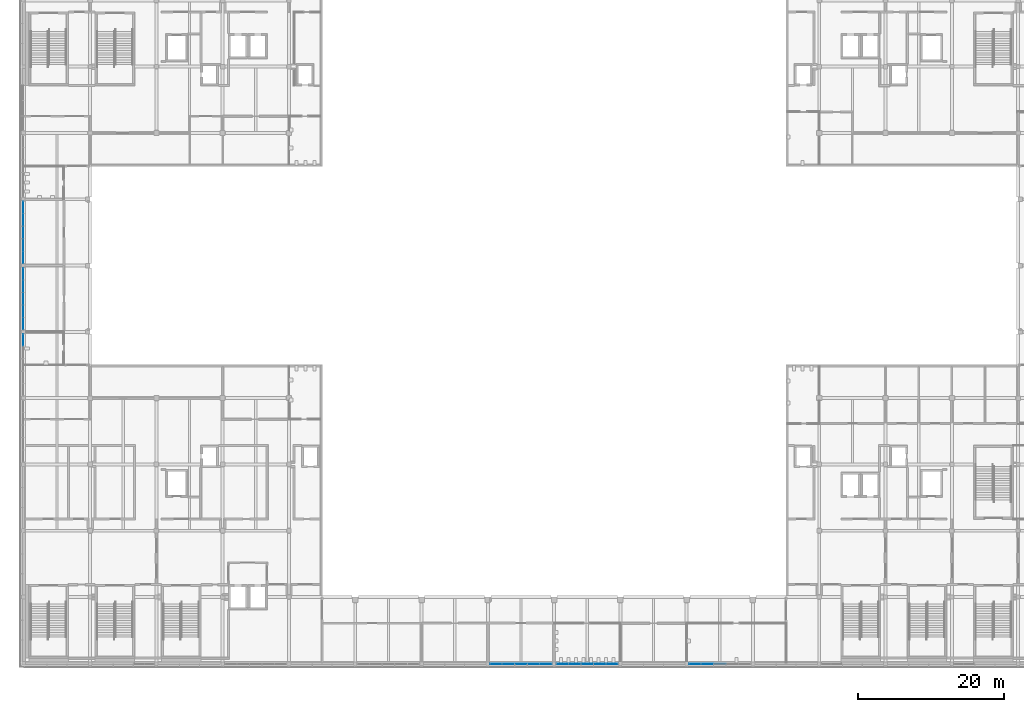
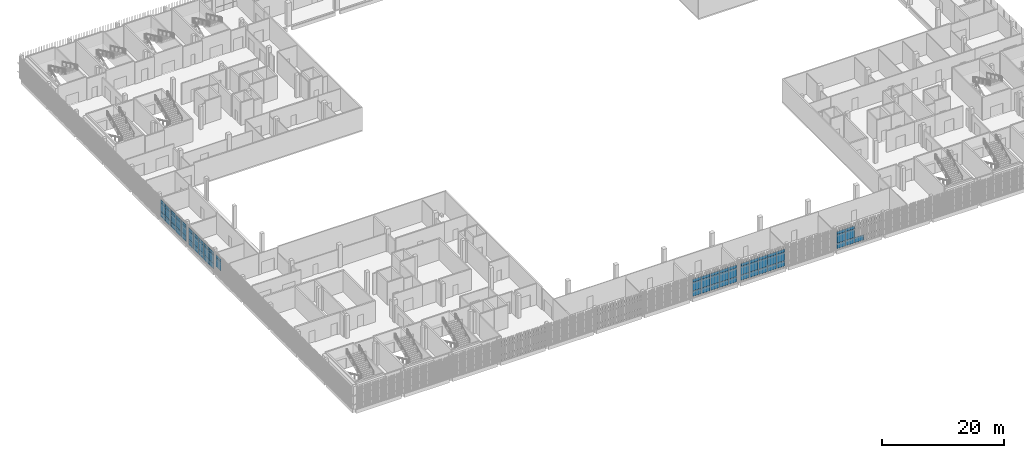
# One storey, part 58 of 124: 69 plates, 6 elements without a shape of their own.
"""IFC4 building model written with IfcOpenShell, lengths in metres."""

from ifc_helpers import new_model, si_unit, direction, frame, origin, origin_2d, place, context, subcontext, project, spatial, rectangle, extrude, material, layer, layer_set, type_object, element, aggregate, save


model = new_model("IFC4")

# Units and contexts
model_context = context("Model", 3, precision=1e-05, world=origin(), true_north=direction((0.0, 1.0)))
body_context = subcontext(model_context, "Body", "Model", "MODEL_VIEW")
ifc_project = project(units=[si_unit("LENGTHUNIT", "METRE"), si_unit("AREAUNIT", "SQUARE_METRE"), si_unit("VOLUMEUNIT", "CUBIC_METRE"), si_unit("PLANEANGLEUNIT", "RADIAN"), si_unit("MASSUNIT", "GRAM", prefix="KILO")], contexts=[model_context])

# Site, building, storey
site_placement = place(None, origin())
site = spatial("IfcSite", under=ifc_project, at=site_placement, CompositionType="ELEMENT")
building_placement = place(site_placement, origin())
building = spatial("IfcBuilding", under=site, at=building_placement, Name="Shirokan Park Arena", CompositionType="ELEMENT")
storey_placement = place(building_placement, frame((0.0, 0.0, 20.02001953125)))
storey = spatial("IfcBuildingStorey", under=building, at=storey_placement, Name="L04", CompositionType="ELEMENT", Elevation=20.02001953125)

# Curtain wall, plates
ifc_material_1 = material(Name="Steel and glass curtain wall", Category="steel")
ifc_layer_1 = layer(ifc_material_1, 0.14990234375)
ifc_layer_set_1 = layer_set([ifc_layer_1], Name="Steel and glass curtain wall 150 mm")
curtain_wall_type = type_object("IfcCurtainWallType", Name="Curtain wall exposed bay 150", PredefinedType="NOTDEFINED", material=ifc_layer_set_1)
curtain_wall_1_placement = place(storey_placement, origin())
curtain_wall_1 = element("IfcCurtainWall", 1, at=curtain_wall_1_placement, inside=storey, type_object=curtain_wall_type, Name="Curtain wall south bay 8 L04", PredefinedType="NOTDEFINED")
ifc_material_2 = material(Name="Aluminium sheet", Category="aluminium")
ifc_layer_2 = layer(ifc_material_2, 0.0029296875, Name="Aluminium sheet")
ifc_material_3 = material(Name="Mineral wool insulation")
ifc_layer_3 = layer(ifc_material_3, 0.053955078125, Name="Mineral wool insulation")
ifc_layer_4 = layer(ifc_material_2, 0.0029296875, Name="Aluminium sheet")
ifc_layer_set_2 = layer_set([ifc_layer_2, ifc_layer_3, ifc_layer_4], Name="Aluminium sheet + Mineral wool insulation")
plate_type_1 = type_object("IfcPlateType", Name="Insulated spandrel panel 60", PredefinedType="CURTAIN_PANEL", material=ifc_layer_set_2)
plate_1_placement = place(storey_placement, frame((64.847412109375, -0.074951171875, 2.8701171875), z_axis=(0.0, 0.0, 1.0), x_axis=(1.0, 0.0, 0.0)))
plate_1 = element("IfcPlate", 2, at=plate_1_placement, type_object=plate_type_1, Name="CW1 panel 1.3", PredefinedType="CURTAIN_PANEL", context=body_context, shape_type="SweptSolid", body=[
    extrude(rectangle(XDim=1.594970703125, YDim=0.06005859375, at=origin_2d()), origin(), (0.0, 0.0, 1.0), 0.590087890625),
])
plate_2_placement = place(storey_placement, frame((66.530029296875, -0.074951171875, 2.8701171875), z_axis=(0.0, 0.0, 1.0), x_axis=(1.0, 0.0, 0.0)))
plate_2 = element("IfcPlate", 3, at=plate_2_placement, type_object=plate_type_1, Name="CW1 panel 2.3", PredefinedType="CURTAIN_PANEL", context=body_context, shape_type="SweptSolid", body=[
    extrude(rectangle(XDim=1.669921875, YDim=0.06005859375, at=origin_2d()), origin(), (0.0, 0.0, 1.0), 0.590087890625),
])
plate_3_placement = place(storey_placement, frame((68.25, -0.074951171875, 2.8701171875), z_axis=(0.0, 0.0, 1.0), x_axis=(1.0, 0.0, 0.0)))
plate_3 = element("IfcPlate", 4, at=plate_3_placement, type_object=plate_type_1, Name="CW1 panel 3.3", PredefinedType="CURTAIN_PANEL", context=body_context, shape_type="SweptSolid", body=[
    extrude(rectangle(XDim=1.669921875, YDim=0.06005859375, at=origin_2d()), origin(), (0.0, 0.0, 1.0), 0.590087890625),
])
plate_4_placement = place(storey_placement, frame((69.969970703125, -0.074951171875, 2.8701171875), z_axis=(0.0, 0.0, 1.0), x_axis=(1.0, 0.0, 0.0)))
plate_4 = element("IfcPlate", 5, at=plate_4_placement, type_object=plate_type_1, Name="CW1 panel 4.3", PredefinedType="CURTAIN_PANEL", context=body_context, shape_type="SweptSolid", body=[
    extrude(rectangle(XDim=1.669921875, YDim=0.06005859375, at=origin_2d()), origin(), (0.0, 0.0, 1.0), 0.590087890625),
])
plate_5_placement = place(storey_placement, frame((71.652587890625, -0.074951171875, 2.8701171875), z_axis=(0.0, 0.0, 1.0), x_axis=(1.0, 0.0, 0.0)))
plate_5 = element("IfcPlate", 6, at=plate_5_placement, type_object=plate_type_1, Name="CW1 panel 5.3", PredefinedType="CURTAIN_PANEL", context=body_context, shape_type="SweptSolid", body=[
    extrude(rectangle(XDim=1.594970703125, YDim=0.06005859375, at=origin_2d()), origin(), (0.0, 0.0, 1.0), 0.590087890625),
])

curtain_wall_2_placement = place(storey_placement, origin())
curtain_wall_2 = element("IfcCurtainWall", 7, at=curtain_wall_2_placement, inside=storey, type_object=curtain_wall_type, Name="Curtain wall south bay 9 L04", PredefinedType="NOTDEFINED")
plate_6_placement = place(storey_placement, frame((73.947509765625, -0.074951171875, 2.8701171875), z_axis=(0.0, 0.0, 1.0), x_axis=(1.0, 0.0, 0.0)))
plate_6 = element("IfcPlate", 8, at=plate_6_placement, type_object=plate_type_1, Name="CW1 panel 1.3", PredefinedType="CURTAIN_PANEL", context=body_context, shape_type="SweptSolid", body=[
    extrude(rectangle(XDim=1.594970703125, YDim=0.06005859375, at=origin_2d()), origin(), (0.0, 0.0, 1.0), 0.590087890625),
])
plate_7_placement = place(storey_placement, frame((75.6298828125, -0.074951171875, 2.8701171875), z_axis=(0.0, 0.0, 1.0), x_axis=(1.0, 0.0, 0.0)))
plate_7 = element("IfcPlate", 9, at=plate_7_placement, type_object=plate_type_1, Name="CW1 panel 2.3", PredefinedType="CURTAIN_PANEL", context=body_context, shape_type="SweptSolid", body=[
    extrude(rectangle(XDim=1.669921875, YDim=0.06005859375, at=origin_2d()), origin(), (0.0, 0.0, 1.0), 0.590087890625),
])
plate_8_placement = place(storey_placement, frame((77.35009765625, -0.074951171875, 2.8701171875), z_axis=(0.0, 0.0, 1.0), x_axis=(1.0, 0.0, 0.0)))
plate_8 = element("IfcPlate", 10, at=plate_8_placement, type_object=plate_type_1, Name="CW1 panel 3.3", PredefinedType="CURTAIN_PANEL", context=body_context, shape_type="SweptSolid", body=[
    extrude(rectangle(XDim=1.669921875, YDim=0.06005859375, at=origin_2d()), origin(), (0.0, 0.0, 1.0), 0.590087890625),
])
plate_9_placement = place(storey_placement, frame((79.070068359375, -0.074951171875, 2.8701171875), z_axis=(0.0, 0.0, 1.0), x_axis=(1.0, 0.0, 0.0)))
plate_9 = element("IfcPlate", 11, at=plate_9_placement, type_object=plate_type_1, Name="CW1 panel 4.3", PredefinedType="CURTAIN_PANEL", context=body_context, shape_type="SweptSolid", body=[
    extrude(rectangle(XDim=1.669921875, YDim=0.06005859375, at=origin_2d()), origin(), (0.0, 0.0, 1.0), 0.590087890625),
])
plate_10_placement = place(storey_placement, frame((80.75244140625, -0.074951171875, 2.8701171875), z_axis=(0.0, 0.0, 1.0), x_axis=(1.0, 0.0, 0.0)))
plate_10 = element("IfcPlate", 12, at=plate_10_placement, type_object=plate_type_1, Name="CW1 panel 5.3", PredefinedType="CURTAIN_PANEL", context=body_context, shape_type="SweptSolid", body=[
    extrude(rectangle(XDim=1.594970703125, YDim=0.06005859375, at=origin_2d()), origin(), (0.0, 0.0, 1.0), 0.590087890625),
])

curtain_wall_3_placement = place(storey_placement, origin())
curtain_wall_3 = element("IfcCurtainWall", 13, at=curtain_wall_3_placement, inside=storey, type_object=curtain_wall_type, Name="Curtain wall south bay 11 L04", PredefinedType="NOTDEFINED")
plate_11_placement = place(storey_placement, frame((92.1474609375, -0.074951171875, 2.8701171875), z_axis=(0.0, 0.0, 1.0), x_axis=(1.0, 0.0, 0.0)))
plate_11 = element("IfcPlate", 14, at=plate_11_placement, type_object=plate_type_1, Name="CW1 panel 1.3", PredefinedType="CURTAIN_PANEL", context=body_context, shape_type="SweptSolid", body=[
    extrude(rectangle(XDim=1.594970703125, YDim=0.06005859375, at=origin_2d()), origin(), (0.0, 0.0, 1.0), 0.590087890625),
])
plate_12_placement = place(storey_placement, frame((93.830078125, -0.074951171875, 2.8701171875), z_axis=(0.0, 0.0, 1.0), x_axis=(1.0, 0.0, 0.0)))
plate_12 = element("IfcPlate", 15, at=plate_12_placement, type_object=plate_type_1, Name="CW1 panel 2.3", PredefinedType="CURTAIN_PANEL", context=body_context, shape_type="SweptSolid", body=[
    extrude(rectangle(XDim=1.669921875, YDim=0.06005859375, at=origin_2d()), origin(), (0.0, 0.0, 1.0), 0.590087890625),
])

curtain_wall_4_placement = place(storey_placement, origin())
curtain_wall_4 = element("IfcCurtainWall", 16, at=curtain_wall_4_placement, inside=storey, type_object=curtain_wall_type, Name="Curtain wall west bay 6 L04", PredefinedType="NOTDEFINED")
plate_13_placement = place(storey_placement, frame((-0.074951171875, 62.552490234375, 2.8701171875), z_axis=(0.0, 0.0, 1.0), x_axis=(0.0, -1.0, 0.0)))
plate_13 = element("IfcPlate", 17, at=plate_13_placement, type_object=plate_type_1, Name="CW1 panel 1.3", PredefinedType="CURTAIN_PANEL", context=body_context, shape_type="SweptSolid", body=[
    extrude(rectangle(XDim=1.594970703125, YDim=0.06005859375, at=origin_2d()), origin(), (0.0, 0.0, 1.0), 0.590087890625),
])
plate_14_placement = place(storey_placement, frame((-0.074951171875, 60.8701171875, 2.8701171875), z_axis=(0.0, 0.0, 1.0), x_axis=(0.0, -1.0, 0.0)))
plate_14 = element("IfcPlate", 18, at=plate_14_placement, type_object=plate_type_1, Name="CW1 panel 2.3", PredefinedType="CURTAIN_PANEL", context=body_context, shape_type="SweptSolid", body=[
    extrude(rectangle(XDim=1.669921875, YDim=0.06005859375, at=origin_2d()), origin(), (0.0, 0.0, 1.0), 0.590087890625),
])
plate_15_placement = place(storey_placement, frame((-0.074951171875, 59.14990234375, 2.8701171875), z_axis=(0.0, 0.0, 1.0), x_axis=(0.0, -1.0, 0.0)))
plate_15 = element("IfcPlate", 19, at=plate_15_placement, type_object=plate_type_1, Name="CW1 panel 3.3", PredefinedType="CURTAIN_PANEL", context=body_context, shape_type="SweptSolid", body=[
    extrude(rectangle(XDim=1.669921875, YDim=0.06005859375, at=origin_2d()), origin(), (0.0, 0.0, 1.0), 0.590087890625),
])
plate_16_placement = place(storey_placement, frame((-0.074951171875, 57.429931640625, 2.8701171875), z_axis=(0.0, 0.0, 1.0), x_axis=(0.0, -1.0, 0.0)))
plate_16 = element("IfcPlate", 20, at=plate_16_placement, type_object=plate_type_1, Name="CW1 panel 4.3", PredefinedType="CURTAIN_PANEL", context=body_context, shape_type="SweptSolid", body=[
    extrude(rectangle(XDim=1.669921875, YDim=0.06005859375, at=origin_2d()), origin(), (0.0, 0.0, 1.0), 0.590087890625),
])
plate_17_placement = place(storey_placement, frame((-0.074951171875, 55.74755859375, 2.8701171875), z_axis=(0.0, 0.0, 1.0), x_axis=(0.0, -1.0, 0.0)))
plate_17 = element("IfcPlate", 21, at=plate_17_placement, type_object=plate_type_1, Name="CW1 panel 5.3", PredefinedType="CURTAIN_PANEL", context=body_context, shape_type="SweptSolid", body=[
    extrude(rectangle(XDim=1.594970703125, YDim=0.06005859375, at=origin_2d()), origin(), (0.0, 0.0, 1.0), 0.590087890625),
])

curtain_wall_5_placement = place(storey_placement, origin())
curtain_wall_5 = element("IfcCurtainWall", 22, at=curtain_wall_5_placement, inside=storey, type_object=curtain_wall_type, Name="Curtain wall west bay 7 L04", PredefinedType="NOTDEFINED")
plate_18_placement = place(storey_placement, frame((-0.074951171875, 53.452392578125, 2.8701171875), z_axis=(0.0, 0.0, 1.0), x_axis=(0.0, -1.0, 0.0)))
plate_18 = element("IfcPlate", 23, at=plate_18_placement, type_object=plate_type_1, Name="CW1 panel 1.3", PredefinedType="CURTAIN_PANEL", context=body_context, shape_type="SweptSolid", body=[
    extrude(rectangle(XDim=1.594970703125, YDim=0.06005859375, at=origin_2d()), origin(), (0.0, 0.0, 1.0), 0.590087890625),
])
plate_19_placement = place(storey_placement, frame((-0.074951171875, 51.77001953125, 2.8701171875), z_axis=(0.0, 0.0, 1.0), x_axis=(0.0, -1.0, 0.0)))
plate_19 = element("IfcPlate", 24, at=plate_19_placement, type_object=plate_type_1, Name="CW1 panel 2.3", PredefinedType="CURTAIN_PANEL", context=body_context, shape_type="SweptSolid", body=[
    extrude(rectangle(XDim=1.669921875, YDim=0.06005859375, at=origin_2d()), origin(), (0.0, 0.0, 1.0), 0.590087890625),
])
plate_20_placement = place(storey_placement, frame((-0.074951171875, 50.050048828125, 2.8701171875), z_axis=(0.0, 0.0, 1.0), x_axis=(0.0, -1.0, 0.0)))
plate_20 = element("IfcPlate", 25, at=plate_20_placement, type_object=plate_type_1, Name="CW1 panel 3.3", PredefinedType="CURTAIN_PANEL", context=body_context, shape_type="SweptSolid", body=[
    extrude(rectangle(XDim=1.669921875, YDim=0.06005859375, at=origin_2d()), origin(), (0.0, 0.0, 1.0), 0.590087890625),
])
plate_21_placement = place(storey_placement, frame((-0.074951171875, 48.330078125, 2.8701171875), z_axis=(0.0, 0.0, 1.0), x_axis=(0.0, -1.0, 0.0)))
plate_21 = element("IfcPlate", 26, at=plate_21_placement, type_object=plate_type_1, Name="CW1 panel 4.3", PredefinedType="CURTAIN_PANEL", context=body_context, shape_type="SweptSolid", body=[
    extrude(rectangle(XDim=1.669921875, YDim=0.06005859375, at=origin_2d()), origin(), (0.0, 0.0, 1.0), 0.590087890625),
])
plate_22_placement = place(storey_placement, frame((-0.074951171875, 46.6474609375, 2.8701171875), z_axis=(0.0, 0.0, 1.0), x_axis=(0.0, -1.0, 0.0)))
plate_22 = element("IfcPlate", 27, at=plate_22_placement, type_object=plate_type_1, Name="CW1 panel 5.3", PredefinedType="CURTAIN_PANEL", context=body_context, shape_type="SweptSolid", body=[
    extrude(rectangle(XDim=1.594970703125, YDim=0.06005859375, at=origin_2d()), origin(), (0.0, 0.0, 1.0), 0.590087890625),
])

# Curtain wall, plate
curtain_wall_6_placement = place(storey_placement, origin())
curtain_wall_6 = element("IfcCurtainWall", 28, at=curtain_wall_6_placement, inside=storey, type_object=curtain_wall_type, Name="Curtain wall west bay 8 L04", PredefinedType="NOTDEFINED")
plate_23_placement = place(storey_placement, frame((-0.074951171875, 44.35498046875, 2.8701171875), z_axis=(0.0, 0.0, 1.0), x_axis=(0.0, -1.0, 0.0)))
plate_23 = element("IfcPlate", 29, at=plate_23_placement, type_object=plate_type_1, Name="CW1 panel 1.3", PredefinedType="CURTAIN_PANEL", context=body_context, shape_type="SweptSolid", body=[
    extrude(rectangle(XDim=1.590087890625, YDim=0.06005859375, at=origin_2d()), origin(), (0.0, 0.0, 1.0), 0.590087890625),
])

# Plate
ifc_material_4 = material(Name="Toughened glass", Category="glass")
ifc_layer_5 = layer(ifc_material_4, 0.012939453125, Name="Toughened glass")
ifc_material_5 = material(Name="Interlayer film")
ifc_layer_6 = layer(ifc_material_5, 0.001953125, Name="Interlayer film")
ifc_layer_7 = layer(ifc_material_4, 0.012939453125, Name="Toughened glass")
ifc_layer_set_3 = layer_set([ifc_layer_5, ifc_layer_6, ifc_layer_7], Name="Toughened glass + Interlayer film")
plate_type_2 = type_object("IfcPlateType", Name="Laminated glass panel 28", PredefinedType="CURTAIN_PANEL", material=ifc_layer_set_3)
plate_24_placement = place(storey_placement, frame((64.847412109375, -0.074951171875, 1.1201171875), z_axis=(0.0, 0.0, 1.0), x_axis=(1.0, 0.0, 0.0)))
plate_24 = element("IfcPlate", 30, at=plate_24_placement, type_object=plate_type_2, Name="CW1 panel 1.2", PredefinedType="CURTAIN_PANEL", context=body_context, shape_type="SweptSolid", body=[
    extrude(rectangle(XDim=1.594970703125, YDim=0.028076171875, at=origin_2d()), origin(), (0.0, 0.0, 1.0), 1.7099609375),
])

plate_25_placement = place(storey_placement, frame((66.530029296875, -0.074951171875, 1.1201171875), z_axis=(0.0, 0.0, 1.0), x_axis=(1.0, 0.0, 0.0)))
plate_25 = element("IfcPlate", 31, at=plate_25_placement, type_object=plate_type_2, Name="CW1 panel 2.2", PredefinedType="CURTAIN_PANEL", context=body_context, shape_type="SweptSolid", body=[
    extrude(rectangle(XDim=1.669921875, YDim=0.028076171875, at=origin_2d()), origin(), (0.0, 0.0, 1.0), 1.7099609375),
])

plate_26_placement = place(storey_placement, frame((68.25, -0.074951171875, 1.1201171875), z_axis=(0.0, 0.0, 1.0), x_axis=(1.0, 0.0, 0.0)))
plate_26 = element("IfcPlate", 32, at=plate_26_placement, type_object=plate_type_2, Name="CW1 panel 3.2", PredefinedType="CURTAIN_PANEL", context=body_context, shape_type="SweptSolid", body=[
    extrude(rectangle(XDim=1.669921875, YDim=0.028076171875, at=origin_2d()), origin(), (0.0, 0.0, 1.0), 1.7099609375),
])

plate_27_placement = place(storey_placement, frame((69.969970703125, -0.074951171875, 1.1201171875), z_axis=(0.0, 0.0, 1.0), x_axis=(1.0, 0.0, 0.0)))
plate_27 = element("IfcPlate", 33, at=plate_27_placement, type_object=plate_type_2, Name="CW1 panel 4.2", PredefinedType="CURTAIN_PANEL", context=body_context, shape_type="SweptSolid", body=[
    extrude(rectangle(XDim=1.669921875, YDim=0.028076171875, at=origin_2d()), origin(), (0.0, 0.0, 1.0), 1.7099609375),
])

plate_28_placement = place(storey_placement, frame((71.652587890625, -0.074951171875, 1.1201171875), z_axis=(0.0, 0.0, 1.0), x_axis=(1.0, 0.0, 0.0)))
plate_28 = element("IfcPlate", 34, at=plate_28_placement, type_object=plate_type_2, Name="CW1 panel 5.2", PredefinedType="CURTAIN_PANEL", context=body_context, shape_type="SweptSolid", body=[
    extrude(rectangle(XDim=1.594970703125, YDim=0.028076171875, at=origin_2d()), origin(), (0.0, 0.0, 1.0), 1.7099609375),
])

plate_29_placement = place(storey_placement, frame((73.947509765625, -0.074951171875, 1.1201171875), z_axis=(0.0, 0.0, 1.0), x_axis=(1.0, 0.0, 0.0)))
plate_29 = element("IfcPlate", 35, at=plate_29_placement, type_object=plate_type_2, Name="CW1 panel 1.2", PredefinedType="CURTAIN_PANEL", context=body_context, shape_type="SweptSolid", body=[
    extrude(rectangle(XDim=1.594970703125, YDim=0.028076171875, at=origin_2d()), origin(), (0.0, 0.0, 1.0), 1.7099609375),
])

plate_30_placement = place(storey_placement, frame((75.6298828125, -0.074951171875, 1.1201171875), z_axis=(0.0, 0.0, 1.0), x_axis=(1.0, 0.0, 0.0)))
plate_30 = element("IfcPlate", 36, at=plate_30_placement, type_object=plate_type_2, Name="CW1 panel 2.2", PredefinedType="CURTAIN_PANEL", context=body_context, shape_type="SweptSolid", body=[
    extrude(rectangle(XDim=1.669921875, YDim=0.028076171875, at=origin_2d()), origin(), (0.0, 0.0, 1.0), 1.7099609375),
])

plate_31_placement = place(storey_placement, frame((77.35009765625, -0.074951171875, 1.1201171875), z_axis=(0.0, 0.0, 1.0), x_axis=(1.0, 0.0, 0.0)))
plate_31 = element("IfcPlate", 37, at=plate_31_placement, type_object=plate_type_2, Name="CW1 panel 3.2", PredefinedType="CURTAIN_PANEL", context=body_context, shape_type="SweptSolid", body=[
    extrude(rectangle(XDim=1.669921875, YDim=0.028076171875, at=origin_2d()), origin(), (0.0, 0.0, 1.0), 1.7099609375),
])

plate_32_placement = place(storey_placement, frame((79.070068359375, -0.074951171875, 1.1201171875), z_axis=(0.0, 0.0, 1.0), x_axis=(1.0, 0.0, 0.0)))
plate_32 = element("IfcPlate", 38, at=plate_32_placement, type_object=plate_type_2, Name="CW1 panel 4.2", PredefinedType="CURTAIN_PANEL", context=body_context, shape_type="SweptSolid", body=[
    extrude(rectangle(XDim=1.669921875, YDim=0.028076171875, at=origin_2d()), origin(), (0.0, 0.0, 1.0), 1.7099609375),
])

plate_33_placement = place(storey_placement, frame((80.75244140625, -0.074951171875, 1.1201171875), z_axis=(0.0, 0.0, 1.0), x_axis=(1.0, 0.0, 0.0)))
plate_33 = element("IfcPlate", 39, at=plate_33_placement, type_object=plate_type_2, Name="CW1 panel 5.2", PredefinedType="CURTAIN_PANEL", context=body_context, shape_type="SweptSolid", body=[
    extrude(rectangle(XDim=1.594970703125, YDim=0.028076171875, at=origin_2d()), origin(), (0.0, 0.0, 1.0), 1.7099609375),
])

plate_34_placement = place(storey_placement, frame((92.1474609375, -0.074951171875, 1.1201171875), z_axis=(0.0, 0.0, 1.0), x_axis=(1.0, 0.0, 0.0)))
plate_34 = element("IfcPlate", 40, at=plate_34_placement, type_object=plate_type_2, Name="CW1 panel 1.2", PredefinedType="CURTAIN_PANEL", context=body_context, shape_type="SweptSolid", body=[
    extrude(rectangle(XDim=1.594970703125, YDim=0.028076171875, at=origin_2d()), origin(), (0.0, 0.0, 1.0), 1.7099609375),
])

plate_35_placement = place(storey_placement, frame((93.830078125, -0.074951171875, 1.1201171875), z_axis=(0.0, 0.0, 1.0), x_axis=(1.0, 0.0, 0.0)))
plate_35 = element("IfcPlate", 41, at=plate_35_placement, type_object=plate_type_2, Name="CW1 panel 2.2", PredefinedType="CURTAIN_PANEL", context=body_context, shape_type="SweptSolid", body=[
    extrude(rectangle(XDim=1.669921875, YDim=0.028076171875, at=origin_2d()), origin(), (0.0, 0.0, 1.0), 1.7099609375),
])

plate_36_placement = place(storey_placement, frame((-0.074951171875, 62.552490234375, 1.1201171875), z_axis=(0.0, 0.0, 1.0), x_axis=(0.0, -1.0, 0.0)))
plate_36 = element("IfcPlate", 42, at=plate_36_placement, type_object=plate_type_2, Name="CW1 panel 1.2", PredefinedType="CURTAIN_PANEL", context=body_context, shape_type="SweptSolid", body=[
    extrude(rectangle(XDim=1.594970703125, YDim=0.028076171875, at=origin_2d()), origin(), (0.0, 0.0, 1.0), 1.7099609375),
])

plate_37_placement = place(storey_placement, frame((-0.074951171875, 60.8701171875, 1.1201171875), z_axis=(0.0, 0.0, 1.0), x_axis=(0.0, -1.0, 0.0)))
plate_37 = element("IfcPlate", 43, at=plate_37_placement, type_object=plate_type_2, Name="CW1 panel 2.2", PredefinedType="CURTAIN_PANEL", context=body_context, shape_type="SweptSolid", body=[
    extrude(rectangle(XDim=1.669921875, YDim=0.028076171875, at=origin_2d()), origin(), (0.0, 0.0, 1.0), 1.7099609375),
])

plate_38_placement = place(storey_placement, frame((-0.074951171875, 59.14990234375, 1.1201171875), z_axis=(0.0, 0.0, 1.0), x_axis=(0.0, -1.0, 0.0)))
plate_38 = element("IfcPlate", 44, at=plate_38_placement, type_object=plate_type_2, Name="CW1 panel 3.2", PredefinedType="CURTAIN_PANEL", context=body_context, shape_type="SweptSolid", body=[
    extrude(rectangle(XDim=1.669921875, YDim=0.028076171875, at=origin_2d()), origin(), (0.0, 0.0, 1.0), 1.7099609375),
])

plate_39_placement = place(storey_placement, frame((-0.074951171875, 57.429931640625, 1.1201171875), z_axis=(0.0, 0.0, 1.0), x_axis=(0.0, -1.0, 0.0)))
plate_39 = element("IfcPlate", 45, at=plate_39_placement, type_object=plate_type_2, Name="CW1 panel 4.2", PredefinedType="CURTAIN_PANEL", context=body_context, shape_type="SweptSolid", body=[
    extrude(rectangle(XDim=1.669921875, YDim=0.028076171875, at=origin_2d()), origin(), (0.0, 0.0, 1.0), 1.7099609375),
])

plate_40_placement = place(storey_placement, frame((-0.074951171875, 55.74755859375, 1.1201171875), z_axis=(0.0, 0.0, 1.0), x_axis=(0.0, -1.0, 0.0)))
plate_40 = element("IfcPlate", 46, at=plate_40_placement, type_object=plate_type_2, Name="CW1 panel 5.2", PredefinedType="CURTAIN_PANEL", context=body_context, shape_type="SweptSolid", body=[
    extrude(rectangle(XDim=1.594970703125, YDim=0.028076171875, at=origin_2d()), origin(), (0.0, 0.0, 1.0), 1.7099609375),
])

plate_41_placement = place(storey_placement, frame((-0.074951171875, 53.452392578125, 1.1201171875), z_axis=(0.0, 0.0, 1.0), x_axis=(0.0, -1.0, 0.0)))
plate_41 = element("IfcPlate", 47, at=plate_41_placement, type_object=plate_type_2, Name="CW1 panel 1.2", PredefinedType="CURTAIN_PANEL", context=body_context, shape_type="SweptSolid", body=[
    extrude(rectangle(XDim=1.594970703125, YDim=0.028076171875, at=origin_2d()), origin(), (0.0, 0.0, 1.0), 1.7099609375),
])

plate_42_placement = place(storey_placement, frame((-0.074951171875, 51.77001953125, 1.1201171875), z_axis=(0.0, 0.0, 1.0), x_axis=(0.0, -1.0, 0.0)))
plate_42 = element("IfcPlate", 48, at=plate_42_placement, type_object=plate_type_2, Name="CW1 panel 2.2", PredefinedType="CURTAIN_PANEL", context=body_context, shape_type="SweptSolid", body=[
    extrude(rectangle(XDim=1.669921875, YDim=0.028076171875, at=origin_2d()), origin(), (0.0, 0.0, 1.0), 1.7099609375),
])

plate_43_placement = place(storey_placement, frame((-0.074951171875, 50.050048828125, 1.1201171875), z_axis=(0.0, 0.0, 1.0), x_axis=(0.0, -1.0, 0.0)))
plate_43 = element("IfcPlate", 49, at=plate_43_placement, type_object=plate_type_2, Name="CW1 panel 3.2", PredefinedType="CURTAIN_PANEL", context=body_context, shape_type="SweptSolid", body=[
    extrude(rectangle(XDim=1.669921875, YDim=0.028076171875, at=origin_2d()), origin(), (0.0, 0.0, 1.0), 1.7099609375),
])

plate_44_placement = place(storey_placement, frame((-0.074951171875, 48.330078125, 1.1201171875), z_axis=(0.0, 0.0, 1.0), x_axis=(0.0, -1.0, 0.0)))
plate_44 = element("IfcPlate", 50, at=plate_44_placement, type_object=plate_type_2, Name="CW1 panel 4.2", PredefinedType="CURTAIN_PANEL", context=body_context, shape_type="SweptSolid", body=[
    extrude(rectangle(XDim=1.669921875, YDim=0.028076171875, at=origin_2d()), origin(), (0.0, 0.0, 1.0), 1.7099609375),
])

plate_45_placement = place(storey_placement, frame((-0.074951171875, 46.6474609375, 1.1201171875), z_axis=(0.0, 0.0, 1.0), x_axis=(0.0, -1.0, 0.0)))
plate_45 = element("IfcPlate", 51, at=plate_45_placement, type_object=plate_type_2, Name="CW1 panel 5.2", PredefinedType="CURTAIN_PANEL", context=body_context, shape_type="SweptSolid", body=[
    extrude(rectangle(XDim=1.594970703125, YDim=0.028076171875, at=origin_2d()), origin(), (0.0, 0.0, 1.0), 1.7099609375),
])

plate_46_placement = place(storey_placement, frame((-0.074951171875, 44.35498046875, 1.1201171875), z_axis=(0.0, 0.0, 1.0), x_axis=(0.0, -1.0, 0.0)))
plate_46 = element("IfcPlate", 52, at=plate_46_placement, type_object=plate_type_2, Name="CW1 panel 1.2", PredefinedType="CURTAIN_PANEL", context=body_context, shape_type="SweptSolid", body=[
    extrude(rectangle(XDim=1.590087890625, YDim=0.028076171875, at=origin_2d()), origin(), (0.0, 0.0, 1.0), 1.7099609375),
])

aggregate(curtain_wall_6, [plate_46, plate_23])

ifc_layer_8 = layer(ifc_material_4, 0.01708984375, Name="Toughened glass")
ifc_layer_9 = layer(ifc_material_5, 0.001953125, Name="Interlayer film")
ifc_layer_10 = layer(ifc_material_4, 0.01708984375, Name="Toughened glass")
ifc_layer_set_4 = layer_set([ifc_layer_8, ifc_layer_9, ifc_layer_10], Name="Toughened glass + Interlayer film")
plate_type_3 = type_object("IfcPlateType", Name="Laminated safety glass panel 36", PredefinedType="CURTAIN_PANEL", material=ifc_layer_set_4)
plate_47_placement = place(storey_placement, frame((64.847412109375, -0.074951171875, 0.0400390625), z_axis=(0.0, 0.0, 1.0), x_axis=(1.0, 0.0, 0.0)))
plate_47 = element("IfcPlate", 53, at=plate_47_placement, type_object=plate_type_3, Name="CW1 panel 1.1", PredefinedType="CURTAIN_PANEL", context=body_context, shape_type="SweptSolid", body=[
    extrude(rectangle(XDim=1.594970703125, YDim=0.035888671875, at=origin_2d()), origin(), (0.0, 0.0, 1.0), 1.0400390625),
])

plate_48_placement = place(storey_placement, frame((66.530029296875, -0.074951171875, 0.0400390625), z_axis=(0.0, 0.0, 1.0), x_axis=(1.0, 0.0, 0.0)))
plate_48 = element("IfcPlate", 54, at=plate_48_placement, type_object=plate_type_3, Name="CW1 panel 2.1", PredefinedType="CURTAIN_PANEL", context=body_context, shape_type="SweptSolid", body=[
    extrude(rectangle(XDim=1.669921875, YDim=0.035888671875, at=origin_2d()), origin(), (0.0, 0.0, 1.0), 1.0400390625),
])

plate_49_placement = place(storey_placement, frame((68.25, -0.074951171875, 0.0400390625), z_axis=(0.0, 0.0, 1.0), x_axis=(1.0, 0.0, 0.0)))
plate_49 = element("IfcPlate", 55, at=plate_49_placement, type_object=plate_type_3, Name="CW1 panel 3.1", PredefinedType="CURTAIN_PANEL", context=body_context, shape_type="SweptSolid", body=[
    extrude(rectangle(XDim=1.669921875, YDim=0.035888671875, at=origin_2d()), origin(), (0.0, 0.0, 1.0), 1.0400390625),
])

plate_50_placement = place(storey_placement, frame((69.969970703125, -0.074951171875, 0.0400390625), z_axis=(0.0, 0.0, 1.0), x_axis=(1.0, 0.0, 0.0)))
plate_50 = element("IfcPlate", 56, at=plate_50_placement, type_object=plate_type_3, Name="CW1 panel 4.1", PredefinedType="CURTAIN_PANEL", context=body_context, shape_type="SweptSolid", body=[
    extrude(rectangle(XDim=1.669921875, YDim=0.035888671875, at=origin_2d()), origin(), (0.0, 0.0, 1.0), 1.0400390625),
])

plate_51_placement = place(storey_placement, frame((71.652587890625, -0.074951171875, 0.0400390625), z_axis=(0.0, 0.0, 1.0), x_axis=(1.0, 0.0, 0.0)))
plate_51 = element("IfcPlate", 57, at=plate_51_placement, type_object=plate_type_3, Name="CW1 panel 5.1", PredefinedType="CURTAIN_PANEL", context=body_context, shape_type="SweptSolid", body=[
    extrude(rectangle(XDim=1.594970703125, YDim=0.035888671875, at=origin_2d()), origin(), (0.0, 0.0, 1.0), 1.0400390625),
])

aggregate(curtain_wall_1, [plate_47, plate_24, plate_1, plate_48, plate_25, plate_2, plate_49, plate_26, plate_3, plate_50, plate_27, plate_4, plate_51, plate_28, plate_5])

plate_52_placement = place(storey_placement, frame((73.947509765625, -0.074951171875, 0.0400390625), z_axis=(0.0, 0.0, 1.0), x_axis=(1.0, 0.0, 0.0)))
plate_52 = element("IfcPlate", 58, at=plate_52_placement, type_object=plate_type_3, Name="CW1 panel 1.1", PredefinedType="CURTAIN_PANEL", context=body_context, shape_type="SweptSolid", body=[
    extrude(rectangle(XDim=1.594970703125, YDim=0.035888671875, at=origin_2d()), origin(), (0.0, 0.0, 1.0), 1.0400390625),
])

plate_53_placement = place(storey_placement, frame((75.6298828125, -0.074951171875, 0.0400390625), z_axis=(0.0, 0.0, 1.0), x_axis=(1.0, 0.0, 0.0)))
plate_53 = element("IfcPlate", 59, at=plate_53_placement, type_object=plate_type_3, Name="CW1 panel 2.1", PredefinedType="CURTAIN_PANEL", context=body_context, shape_type="SweptSolid", body=[
    extrude(rectangle(XDim=1.669921875, YDim=0.035888671875, at=origin_2d()), origin(), (0.0, 0.0, 1.0), 1.0400390625),
])

plate_54_placement = place(storey_placement, frame((77.35009765625, -0.074951171875, 0.0400390625), z_axis=(0.0, 0.0, 1.0), x_axis=(1.0, 0.0, 0.0)))
plate_54 = element("IfcPlate", 60, at=plate_54_placement, type_object=plate_type_3, Name="CW1 panel 3.1", PredefinedType="CURTAIN_PANEL", context=body_context, shape_type="SweptSolid", body=[
    extrude(rectangle(XDim=1.669921875, YDim=0.035888671875, at=origin_2d()), origin(), (0.0, 0.0, 1.0), 1.0400390625),
])

plate_55_placement = place(storey_placement, frame((79.070068359375, -0.074951171875, 0.0400390625), z_axis=(0.0, 0.0, 1.0), x_axis=(1.0, 0.0, 0.0)))
plate_55 = element("IfcPlate", 61, at=plate_55_placement, type_object=plate_type_3, Name="CW1 panel 4.1", PredefinedType="CURTAIN_PANEL", context=body_context, shape_type="SweptSolid", body=[
    extrude(rectangle(XDim=1.669921875, YDim=0.035888671875, at=origin_2d()), origin(), (0.0, 0.0, 1.0), 1.0400390625),
])

plate_56_placement = place(storey_placement, frame((80.75244140625, -0.074951171875, 0.0400390625), z_axis=(0.0, 0.0, 1.0), x_axis=(1.0, 0.0, 0.0)))
plate_56 = element("IfcPlate", 62, at=plate_56_placement, type_object=plate_type_3, Name="CW1 panel 5.1", PredefinedType="CURTAIN_PANEL", context=body_context, shape_type="SweptSolid", body=[
    extrude(rectangle(XDim=1.594970703125, YDim=0.035888671875, at=origin_2d()), origin(), (0.0, 0.0, 1.0), 1.0400390625),
])

aggregate(curtain_wall_2, [plate_52, plate_29, plate_6, plate_53, plate_30, plate_7, plate_54, plate_31, plate_8, plate_55, plate_32, plate_9, plate_56, plate_33, plate_10])

plate_57_placement = place(storey_placement, frame((92.1474609375, -0.074951171875, 0.0400390625), z_axis=(0.0, 0.0, 1.0), x_axis=(1.0, 0.0, 0.0)))
plate_57 = element("IfcPlate", 63, at=plate_57_placement, type_object=plate_type_3, Name="CW1 panel 1.1", PredefinedType="CURTAIN_PANEL", context=body_context, shape_type="SweptSolid", body=[
    extrude(rectangle(XDim=1.594970703125, YDim=0.035888671875, at=origin_2d()), origin(), (0.0, 0.0, 1.0), 1.0400390625),
])

plate_58_placement = place(storey_placement, frame((93.830078125, -0.074951171875, 0.0400390625), z_axis=(0.0, 0.0, 1.0), x_axis=(1.0, 0.0, 0.0)))
plate_58 = element("IfcPlate", 64, at=plate_58_placement, type_object=plate_type_3, Name="CW1 panel 2.1", PredefinedType="CURTAIN_PANEL", context=body_context, shape_type="SweptSolid", body=[
    extrude(rectangle(XDim=1.669921875, YDim=0.035888671875, at=origin_2d()), origin(), (0.0, 0.0, 1.0), 1.0400390625),
])

plate_59_placement = place(storey_placement, frame((95.550048828125, -0.074951171875, 0.0400390625), z_axis=(0.0, 0.0, 1.0), x_axis=(1.0, 0.0, 0.0)))
plate_59 = element("IfcPlate", 65, at=plate_59_placement, type_object=plate_type_3, Name="CW1 panel 3.1", PredefinedType="CURTAIN_PANEL", context=body_context, shape_type="SweptSolid", body=[
    extrude(rectangle(XDim=1.669921875, YDim=0.035888671875, at=origin_2d()), origin(), (0.0, 0.0, 1.0), 1.0400390625),
])

aggregate(curtain_wall_3, [plate_57, plate_34, plate_11, plate_58, plate_35, plate_12, plate_59])

plate_60_placement = place(storey_placement, frame((-0.074951171875, 62.552490234375, 0.0400390625), z_axis=(0.0, 0.0, 1.0), x_axis=(0.0, -1.0, 0.0)))
plate_60 = element("IfcPlate", 66, at=plate_60_placement, type_object=plate_type_3, Name="CW1 panel 1.1", PredefinedType="CURTAIN_PANEL", context=body_context, shape_type="SweptSolid", body=[
    extrude(rectangle(XDim=1.594970703125, YDim=0.035888671875, at=origin_2d()), origin(), (0.0, 0.0, 1.0), 1.0400390625),
])

plate_61_placement = place(storey_placement, frame((-0.074951171875, 60.8701171875, 0.0400390625), z_axis=(0.0, 0.0, 1.0), x_axis=(0.0, -1.0, 0.0)))
plate_61 = element("IfcPlate", 67, at=plate_61_placement, type_object=plate_type_3, Name="CW1 panel 2.1", PredefinedType="CURTAIN_PANEL", context=body_context, shape_type="SweptSolid", body=[
    extrude(rectangle(XDim=1.669921875, YDim=0.035888671875, at=origin_2d()), origin(), (0.0, 0.0, 1.0), 1.0400390625),
])

plate_62_placement = place(storey_placement, frame((-0.074951171875, 59.14990234375, 0.0400390625), z_axis=(0.0, 0.0, 1.0), x_axis=(0.0, -1.0, 0.0)))
plate_62 = element("IfcPlate", 68, at=plate_62_placement, type_object=plate_type_3, Name="CW1 panel 3.1", PredefinedType="CURTAIN_PANEL", context=body_context, shape_type="SweptSolid", body=[
    extrude(rectangle(XDim=1.669921875, YDim=0.035888671875, at=origin_2d()), origin(), (0.0, 0.0, 1.0), 1.0400390625),
])

plate_63_placement = place(storey_placement, frame((-0.074951171875, 57.429931640625, 0.0400390625), z_axis=(0.0, 0.0, 1.0), x_axis=(0.0, -1.0, 0.0)))
plate_63 = element("IfcPlate", 69, at=plate_63_placement, type_object=plate_type_3, Name="CW1 panel 4.1", PredefinedType="CURTAIN_PANEL", context=body_context, shape_type="SweptSolid", body=[
    extrude(rectangle(XDim=1.669921875, YDim=0.035888671875, at=origin_2d()), origin(), (0.0, 0.0, 1.0), 1.0400390625),
])

plate_64_placement = place(storey_placement, frame((-0.074951171875, 55.74755859375, 0.0400390625), z_axis=(0.0, 0.0, 1.0), x_axis=(0.0, -1.0, 0.0)))
plate_64 = element("IfcPlate", 70, at=plate_64_placement, type_object=plate_type_3, Name="CW1 panel 5.1", PredefinedType="CURTAIN_PANEL", context=body_context, shape_type="SweptSolid", body=[
    extrude(rectangle(XDim=1.594970703125, YDim=0.035888671875, at=origin_2d()), origin(), (0.0, 0.0, 1.0), 1.0400390625),
])

aggregate(curtain_wall_4, [plate_60, plate_36, plate_13, plate_61, plate_37, plate_14, plate_62, plate_38, plate_15, plate_63, plate_39, plate_16, plate_64, plate_40, plate_17])

plate_65_placement = place(storey_placement, frame((-0.074951171875, 53.452392578125, 0.0400390625), z_axis=(0.0, 0.0, 1.0), x_axis=(0.0, -1.0, 0.0)))
plate_65 = element("IfcPlate", 71, at=plate_65_placement, type_object=plate_type_3, Name="CW1 panel 1.1", PredefinedType="CURTAIN_PANEL", context=body_context, shape_type="SweptSolid", body=[
    extrude(rectangle(XDim=1.594970703125, YDim=0.035888671875, at=origin_2d()), origin(), (0.0, 0.0, 1.0), 1.0400390625),
])

plate_66_placement = place(storey_placement, frame((-0.074951171875, 51.77001953125, 0.0400390625), z_axis=(0.0, 0.0, 1.0), x_axis=(0.0, -1.0, 0.0)))
plate_66 = element("IfcPlate", 72, at=plate_66_placement, type_object=plate_type_3, Name="CW1 panel 2.1", PredefinedType="CURTAIN_PANEL", context=body_context, shape_type="SweptSolid", body=[
    extrude(rectangle(XDim=1.669921875, YDim=0.035888671875, at=origin_2d()), origin(), (0.0, 0.0, 1.0), 1.0400390625),
])

plate_67_placement = place(storey_placement, frame((-0.074951171875, 50.050048828125, 0.0400390625), z_axis=(0.0, 0.0, 1.0), x_axis=(0.0, -1.0, 0.0)))
plate_67 = element("IfcPlate", 73, at=plate_67_placement, type_object=plate_type_3, Name="CW1 panel 3.1", PredefinedType="CURTAIN_PANEL", context=body_context, shape_type="SweptSolid", body=[
    extrude(rectangle(XDim=1.669921875, YDim=0.035888671875, at=origin_2d()), origin(), (0.0, 0.0, 1.0), 1.0400390625),
])

plate_68_placement = place(storey_placement, frame((-0.074951171875, 48.330078125, 0.0400390625), z_axis=(0.0, 0.0, 1.0), x_axis=(0.0, -1.0, 0.0)))
plate_68 = element("IfcPlate", 74, at=plate_68_placement, type_object=plate_type_3, Name="CW1 panel 4.1", PredefinedType="CURTAIN_PANEL", context=body_context, shape_type="SweptSolid", body=[
    extrude(rectangle(XDim=1.669921875, YDim=0.035888671875, at=origin_2d()), origin(), (0.0, 0.0, 1.0), 1.0400390625),
])

plate_69_placement = place(storey_placement, frame((-0.074951171875, 46.6474609375, 0.0400390625), z_axis=(0.0, 0.0, 1.0), x_axis=(0.0, -1.0, 0.0)))
plate_69 = element("IfcPlate", 75, at=plate_69_placement, type_object=plate_type_3, Name="CW1 panel 5.1", PredefinedType="CURTAIN_PANEL", context=body_context, shape_type="SweptSolid", body=[
    extrude(rectangle(XDim=1.594970703125, YDim=0.035888671875, at=origin_2d()), origin(), (0.0, 0.0, 1.0), 1.0400390625),
])

aggregate(curtain_wall_5, [plate_65, plate_41, plate_18, plate_66, plate_42, plate_19, plate_67, plate_43, plate_20, plate_68, plate_44, plate_21, plate_69, plate_45, plate_22])

save(model, "model.ifc")
